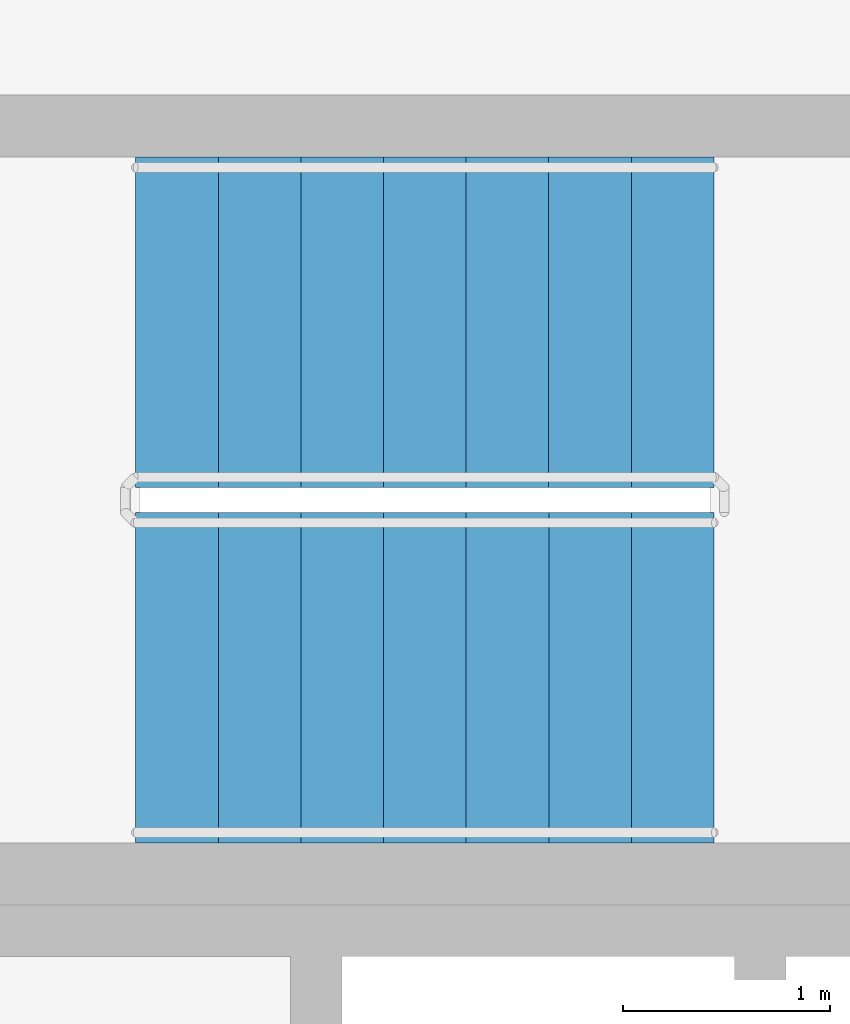
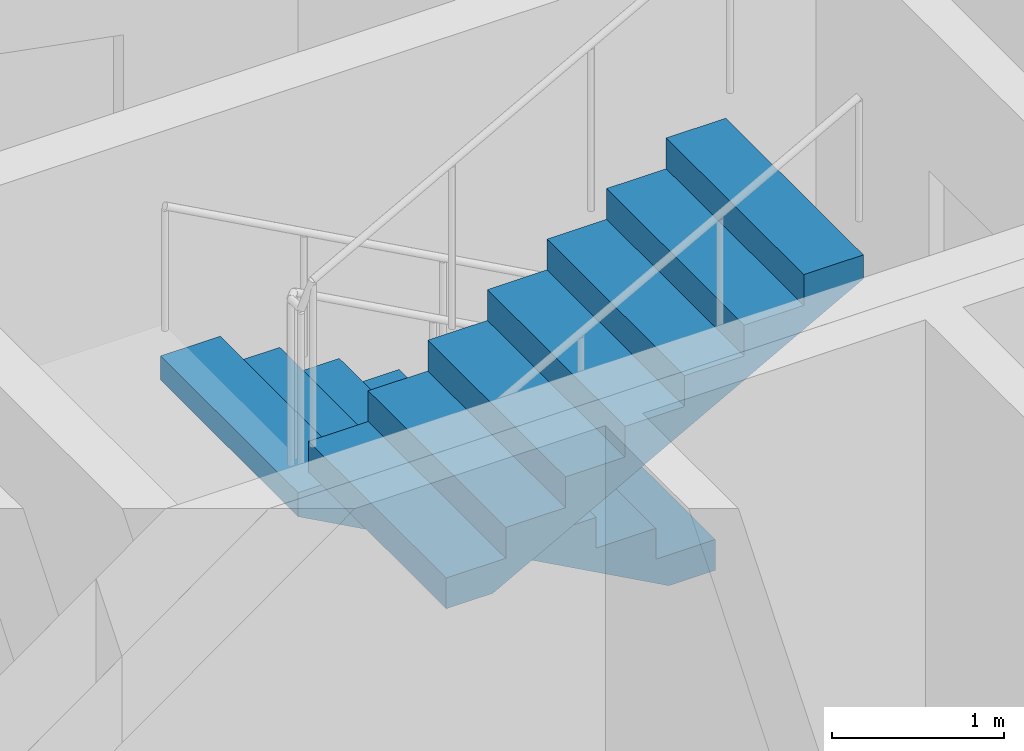
# One storey, part 17 of 18: 2 stair flights, 1 element without a shape of its own.
"""IFC4 building model written with IfcOpenShell, lengths in metres."""

from ifc_helpers import new_model, si_unit, direction, frame, origin, place, context, subcontext, project, spatial, polyline, outline, extrude, material, type_object, element, aggregate, save


model = new_model("IFC4")

# Units and contexts
model_context = context("Model", 3, precision=1e-05, world=origin(), true_north=direction((0.0, 1.0)))
body_context = subcontext(model_context, "Body", "Model", "MODEL_VIEW")
ifc_project = project(units=[si_unit("LENGTHUNIT", "METRE"), si_unit("AREAUNIT", "SQUARE_METRE"), si_unit("VOLUMEUNIT", "CUBIC_METRE"), si_unit("PLANEANGLEUNIT", "RADIAN"), si_unit("MASSUNIT", "GRAM", prefix="KILO")], contexts=[model_context])

# Site, building, storey
site_placement = place(None, origin())
site = spatial("IfcSite", under=ifc_project, at=site_placement, CompositionType="ELEMENT")
building_placement = place(site_placement, origin())
building = spatial("IfcBuilding", under=site, at=building_placement, Name="Spindle Arch Residences", CompositionType="ELEMENT")
storey_placement = place(building_placement, frame((0.0, 0.0, 280.89990234375)))
storey = spatial("IfcBuildingStorey", under=building, at=storey_placement, Name="L72", CompositionType="ELEMENT", Elevation=280.89990234375)

# Stair, stair flights
ifc_material_1 = material(Name="Concrete C50/60", Category="concrete")
stair_type = type_object("IfcStairType", Name="Exit stair 16 risers", PredefinedType="HALF_TURN_STAIR", material=ifc_material_1)
stair_placement = place(storey_placement, origin())
stair = element("IfcStair", 1, at=stair_placement, inside=storey, type_object=stair_type, Name="L72 Exit stair ST1", PredefinedType="HALF_TURN_STAIR")
ifc_material_2 = material(Name="Concrete C50/60", Category="concrete")
stair_flight_type = type_object("IfcStairFlightType", Name="Exit stair flight", PredefinedType="STRAIGHT", material=ifc_material_2)
stair_flight_1_placement = place(storey_placement, frame((5.14990234375, 7.8701171875, 0.0), z_axis=(0.0, 0.0, 1.0), x_axis=(-1.0, 0.0, 0.0)))
stair_flight_1 = element("IfcStairFlight", 2, at=stair_flight_1_placement, type_object=stair_flight_type, Name="ST1 flight 1", NumberOfRisers=8, NumberOfTreads=7, PredefinedType="STRAIGHT", RiserHeight=0.21875, TreadLength=0.4, context=body_context, shape_type="SweptSolid", body=[
    extrude(outline(polyline([(0.0, 0.0), (0.0, 0.21875), (0.39990234375, 0.21875), (0.39990234375, 0.4375), (0.800048828125, 0.4375), (0.800048828125, 0.65625), (1.199951171875, 0.65625), (1.199951171875, 0.875), (1.60009765625, 0.875), (1.60009765625, 1.09375), (2.0, 1.09375), (2.0, 1.3125), (2.39990234375, 1.3125), (2.39990234375, 1.53125), (2.800048828125, 1.53125), (2.800048828125, 1.75), (2.800048828125, 1.3603515625), (0.3125, 0.0), (0.0, 0.0)])), frame((0.0, 0.800048828125, 0.0), z_axis=(0.0, -1.0, 0.0), x_axis=(1.0, 0.0, 0.0)), (0.0, 0.0, 1.0), 1.60009765625),
])
stair_flight_2_placement = place(storey_placement, frame((2.35009765625, 6.14990234375, 1.75), z_axis=(0.0, 0.0, 1.0), x_axis=(1.0, 0.0, 0.0)))
stair_flight_2 = element("IfcStairFlight", 3, at=stair_flight_2_placement, type_object=stair_flight_type, Name="ST1 flight 2", NumberOfRisers=8, NumberOfTreads=7, PredefinedType="STRAIGHT", RiserHeight=0.21875, TreadLength=0.4, context=body_context, shape_type="SweptSolid", body=[
    extrude(outline(polyline([(0.0, 0.0), (0.0, 0.21875), (0.39990234375, 0.21875), (0.39990234375, 0.4375), (0.800048828125, 0.4375), (0.800048828125, 0.65625), (1.199951171875, 0.65625), (1.199951171875, 0.875), (1.60009765625, 0.875), (1.60009765625, 1.09375), (2.0, 1.09375), (2.0, 1.3125), (2.39990234375, 1.3125), (2.39990234375, 1.53125), (2.800048828125, 1.53125), (2.800048828125, 1.75), (2.800048828125, 1.3603515625), (0.3125, 0.0), (0.0, 0.0)])), frame((0.0, 0.800048828125, 0.0), z_axis=(0.0, -1.0, 0.0), x_axis=(1.0, 0.0, 0.0)), (0.0, 0.0, 1.0), 1.60009765625),
])
aggregate(stair, [stair_flight_1, stair_flight_2])

save(model, "model.ifc")
